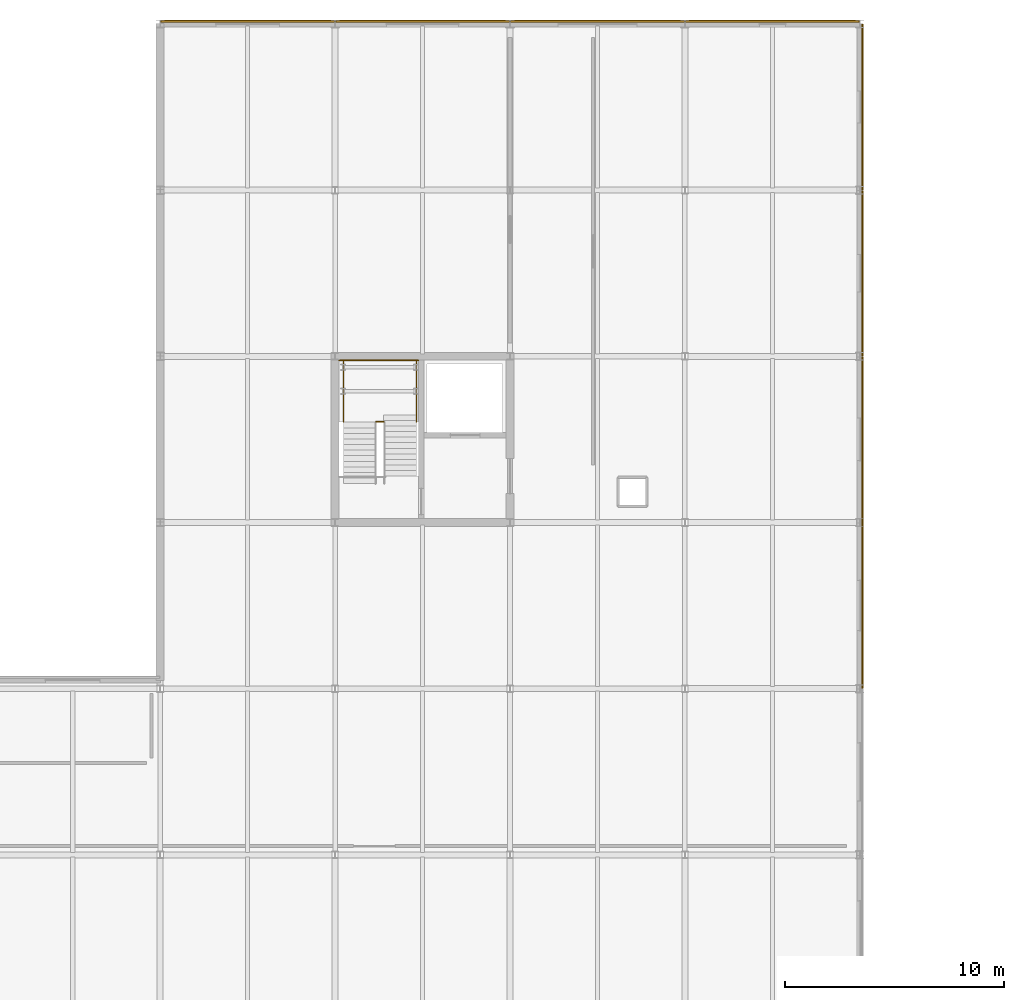
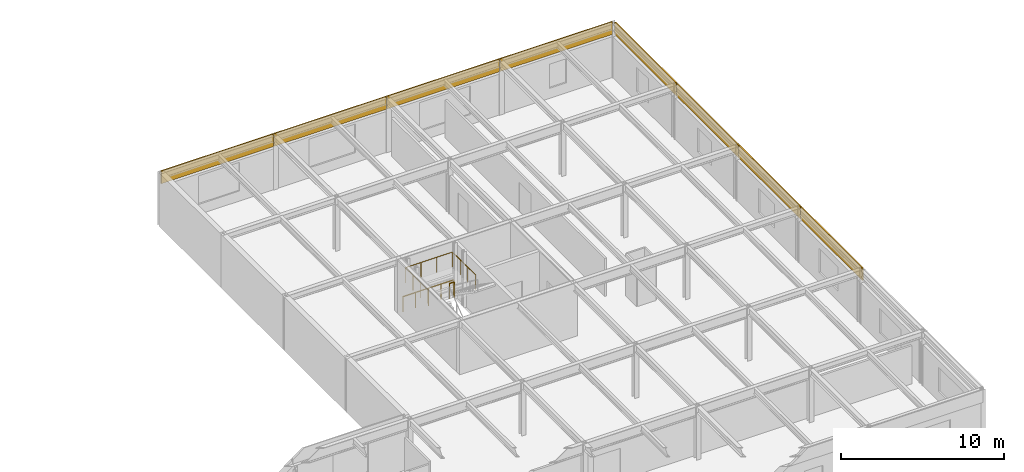
# One storey, part 44 of 45: 8 coverings, 3 railings.
"""IFC4 building model written with IfcOpenShell, lengths in metres."""

import ifcopenshell
import ifcopenshell.guid

model = None  # the IFC model being written
_history = None  # IfcOwnerHistory: only IFC2X3 demands one
_inside = {}  # id of a spatial element -> (the spatial element, [elements in it])
_under = {}  # id of a project, library or spatial element -> (it, [spatial elements below it])
_declared = {}  # id of a project -> (the project, [libraries it declares])
_typed = {}  # id of a type object -> (the type object, [elements of that type])
_made_of = {}  # id of a material, layer set ... -> (it, [elements and type objects made of it])


def new_model(schema):
    """Start an empty IFC model of exactly this schema.

    Asked for "IFC4X3", IfcOpenShell would pick the latest addendum, in which some entities
    have other attributes; the version numbers below select the first issue.
    IFC2X3 requires an IfcOwnerHistory on every rooted entity: one is made here for all.
    """
    global model, _history
    if schema == "IFC4X3":
        model = ifcopenshell.file(schema_version=(4, 3, 0, 0))
    else:
        model = ifcopenshell.file(schema=schema)
    _inside.clear()
    _under.clear()
    _declared.clear()
    _typed.clear()
    _made_of.clear()
    _history = None
    if model.schema == "IFC2X3":
        org = make("IfcOrganization", Name="unknown")
        user = make(
            "IfcPersonAndOrganization",
            ThePerson=make("IfcPerson", FamilyName="unknown"),
            TheOrganization=org,
        )
        app = make(
            "IfcApplication",
            ApplicationDeveloper=org,
            Version="unknown",
            ApplicationFullName="unknown",
            ApplicationIdentifier="unknown",
        )
        _history = make(
            "IfcOwnerHistory",
            OwningUser=user,
            OwningApplication=app,
            ChangeAction="ADDED",
            CreationDate=0,
        )
    return model


def make(cls, **values):
    """One entity of the class cls with the attributes given. An attribute that is None is left unset."""
    return model.create_entity(
        cls, **{name: value for name, value in values.items() if value is not None}
    )


def rooted(cls, **values):
    """An entity with a GlobalId (a new one), such as an element, a storey or a relation."""
    return make(cls, GlobalId=ifcopenshell.guid.new(), OwnerHistory=_history, **values)


def si_unit(unit_type, name, prefix=None):
    """IfcSIUnit, for example si_unit("LENGTHUNIT", "METRE", prefix="MILLI")."""
    return make("IfcSIUnit", UnitType=unit_type, Prefix=prefix, Name=name)


def assignment(units):
    """IfcUnitAssignment: the units of a project."""
    return None if units is None else make("IfcUnitAssignment", Units=units)


def point(xyz):
    """IfcCartesianPoint."""
    return None if xyz is None else make("IfcCartesianPoint", Coordinates=xyz)


def direction(xyz):
    """IfcDirection."""
    return None if xyz is None else make("IfcDirection", DirectionRatios=xyz)


def frame(location, z_axis=None, x_axis=None):
    """IfcAxis2Placement3D, a coordinate frame: its origin and axes. An axis left out is left unset."""
    return make(
        "IfcAxis2Placement3D",
        Location=point(location),
        Axis=direction(z_axis),
        RefDirection=direction(x_axis),
    )


def frame_2d(location, x_axis=None):
    """IfcAxis2Placement2D, a coordinate frame in the plane: its origin and x axis."""
    return make(
        "IfcAxis2Placement2D", Location=point(location), RefDirection=direction(x_axis)
    )


def origin():
    """The frame at (0, 0, 0) with its axes left unset."""
    return frame((0.0, 0.0, 0.0))


def origin_2d():
    """The frame at (0, 0) in the plane with its x axis left unset."""
    return frame_2d((0.0, 0.0))


def place(relative_to, where):
    """IfcLocalPlacement: puts the frame where relative to a parent placement (None: the world)."""
    return make(
        "IfcLocalPlacement", PlacementRelTo=relative_to, RelativePlacement=where
    )


def context(
    kind, dimensions, precision=None, world=None, true_north=None, identifier=None
):
    """IfcGeometricRepresentationContext, for example the 3D "Model" context."""
    return make(
        "IfcGeometricRepresentationContext",
        ContextIdentifier=identifier,
        ContextType=kind,
        CoordinateSpaceDimension=dimensions,
        Precision=precision,
        WorldCoordinateSystem=world,
        TrueNorth=true_north,
    )


def subcontext(parent, identifier, kind, view, scale=None):
    """IfcGeometricRepresentationSubContext, for example "Body" below "Model"."""
    return make(
        "IfcGeometricRepresentationSubContext",
        ContextIdentifier=identifier,
        ContextType=kind,
        ParentContext=parent,
        TargetScale=scale,
        TargetView=view,
    )


def project(units=None, contexts=None):
    """IfcProject with its units and contexts."""
    return rooted(
        "IfcProject",
        Name="project",
        RepresentationContexts=contexts,
        UnitsInContext=assignment(units),
    )


def spatial(cls, under=None, at=None, **own):
    """A site, building, storey or space (cls), placed at a placement, below another one or the project."""
    s = rooted(cls, ObjectPlacement=at, **own)
    if under is not None:
        _under.setdefault(under.id(), (under, []))[1].append(s)
    return s


def profile(cls, at=None, kind="AREA", **sizes):
    """A parametric profile (cls). Its sizes go by their IFC names, for example OverallWidth=200.0."""
    return make(cls, ProfileType=kind, Position=at, **sizes)


def rectangle(**sizes):
    """IfcRectangleProfileDef."""
    return profile("IfcRectangleProfileDef", **sizes)


def circle(**sizes):
    """IfcCircleProfileDef."""
    return profile("IfcCircleProfileDef", **sizes)


def extrude(swept, where, along, depth):
    """IfcExtrudedAreaSolid: the profile swept, set in the frame where, extruded along a direction by depth."""
    return make(
        "IfcExtrudedAreaSolid",
        SweptArea=swept,
        Position=where,
        ExtrudedDirection=direction(along),
        Depth=depth,
    )


def shape(context_of_items, identifier, shape_type, items):
    """IfcShapeRepresentation: the items that make up one representation, for example the "Body"."""
    return make(
        "IfcShapeRepresentation",
        ContextOfItems=context_of_items,
        RepresentationIdentifier=identifier,
        RepresentationType=shape_type,
        Items=items,
    )


def material(Name=None, Category=None):
    """IfcMaterial."""
    return make("IfcMaterial", Name=Name, Category=Category)


def layer(
    of_material, thickness, ventilated=None, Name=None, Category=None, Priority=None
):
    """IfcMaterialLayer: one layer of a wall or slab, of a material (None: an air gap)."""
    return make(
        "IfcMaterialLayer",
        Material=of_material,
        LayerThickness=thickness,
        IsVentilated=ventilated,
        Name=Name,
        Category=Category,
        Priority=Priority,
    )


def layer_set(layers, Name=None):
    """IfcMaterialLayerSet."""
    return make("IfcMaterialLayerSet", MaterialLayers=layers, LayerSetName=Name)


def made_of(thing, what):
    """Note that an element or type object is made of a material, layer set ...; save() writes the relation."""
    if what is not None:
        _made_of.setdefault(what.id(), (what, []))[1].append(thing)
    return thing


def type_object(cls, material=None, **own):
    """A type object (cls), such as IfcWallType, which elements share."""
    return made_of(rooted(cls, **own), material)


def element(
    cls,
    number,
    at=None,
    inside=None,
    cuts=None,
    type_object=None,
    material=None,
    context=None,
    identifier="Body",
    shape_type=None,
    held_by="IfcProductDefinitionShape",
    body=None,
    shapes=None,
    **own,
):
    """One element of the class cls, such as IfcWall. Its Tag is "e" and its number.

    at: its placement. inside: the storey or other place that contains it. cuts: it is an
    opening in that element (IfcRelVoidsElement). A single representation is given by context,
    identifier, shape_type and body (its items); several are given by shapes. held_by: the class
    of the entity that holds the representations. save() writes the other relations.
    """
    e = rooted(cls, Tag="e%d" % number, ObjectPlacement=at, **own)
    if body is not None:
        shapes = [shape(context, identifier, shape_type, body)]
    if shapes is not None:
        e.Representation = make(held_by, Representations=shapes)
    if inside is not None:
        _inside.setdefault(inside.id(), (inside, []))[1].append(e)
    if cuts is not None:
        rooted(
            "IfcRelVoidsElement", RelatingBuildingElement=cuts, RelatedOpeningElement=e
        )
    if type_object is not None:
        _typed.setdefault(type_object.id(), (type_object, []))[1].append(e)
    return made_of(e, material)


def aggregate(whole, parts):
    """IfcRelAggregates: a whole, such as a stair, and the parts it consists of."""
    return rooted("IfcRelAggregates", RelatingObject=whole, RelatedObjects=parts)


def save(model, path):
    """Write the relations noted so far, then the file.

    IfcRelAggregates (storeys below a building ...), IfcRelContainedInSpatialStructure (elements
    in a storey), IfcRelDefinesByType, IfcRelAssociatesMaterial and IfcRelDeclares: one each for
    every whole, place, type object, material and project.
    """
    for whole, parts in _under.values():
        aggregate(whole, parts)
    for where, things in _inside.values():
        rooted(
            "IfcRelContainedInSpatialStructure",
            RelatedElements=things,
            RelatingStructure=where,
        )
    for kind, things in _typed.values():
        rooted("IfcRelDefinesByType", RelatedObjects=things, RelatingType=kind)
    for what, things in _made_of.values():
        rooted("IfcRelAssociatesMaterial", RelatedObjects=things, RelatingMaterial=what)
    for by, libraries in _declared.values():
        rooted("IfcRelDeclares", RelatingContext=by, RelatedDefinitions=libraries)
    model.write(path)


model = new_model("IFC4")

# Units and contexts
model_context = context("Model", 3, precision=1e-05, world=origin(), true_north=direction((0.0, 1.0)))
body_context = subcontext(model_context, "Body", "Model", "MODEL_VIEW")
ifc_project = project(units=[si_unit("LENGTHUNIT", "METRE"), si_unit("AREAUNIT", "SQUARE_METRE"), si_unit("VOLUMEUNIT", "CUBIC_METRE"), si_unit("PLANEANGLEUNIT", "RADIAN"), si_unit("MASSUNIT", "GRAM", prefix="KILO")], contexts=[model_context])

# Site, building, storey
site_placement = place(None, origin())
site = spatial("IfcSite", under=ifc_project, at=site_placement, CompositionType="ELEMENT")
building_placement = place(site_placement, origin())
building = spatial("IfcBuilding", under=site, at=building_placement, Name="Zulena Civic Courthouse", CompositionType="ELEMENT")
storey_placement = place(building_placement, frame((0.0, 0.0, 29.39990234375)))
storey = spatial("IfcBuildingStorey", under=building, at=storey_placement, Name="L06", CompositionType="ELEMENT", Elevation=29.39990234375)

# Railings
ifc_material_1 = material(Name="Brushed architectural steel ASTM A36", Category="steel")
railing_type = type_object("IfcRailingType", Name="InteriorGuardrail_1150", PredefinedType="GUARDRAIL", material=ifc_material_1)
railing_1_placement = place(storey_placement, frame((76.199951171875, 75.81005859375, 0.0)))
element("IfcRailing", 1, at=railing_1_placement, inside=storey, type_object=railing_type, Name="gr:wellN:K5B:L05", PredefinedType="GUARDRAIL", context=body_context, shape_type="SweptSolid", body=[
    extrude(circle(Radius=0.02392578125, at=origin_2d()), frame((0.00390625, 0.0, 1.1259765625), z_axis=(1.0, 0.0, 0.0), x_axis=(0.0, 1.0, 0.0)), (0.0, 0.0, 1.0), 3.592041015625),
    extrude(circle(Radius=0.02099609375, at=origin_2d()), origin(), (0.0, 0.0, 1.0), 1.097900390625),
    extrude(circle(Radius=0.02099609375, at=origin_2d()), frame((0.89990234375, 0.0, 0.0)), (0.0, 0.0, 1.0), 1.097900390625),
    extrude(circle(Radius=0.02099609375, at=origin_2d()), frame((1.800048828125, 0.0, 0.0)), (0.0, 0.0, 1.0), 1.097900390625),
    extrude(circle(Radius=0.02099609375, at=origin_2d()), frame((2.7001953125, 0.0, 0.0)), (0.0, 0.0, 1.0), 1.097900390625),
    extrude(circle(Radius=0.02099609375, at=origin_2d()), frame((3.60009765625, 0.0, 0.0)), (0.0, 0.0, 1.0), 1.097900390625),
])
railing_2_placement = place(storey_placement, frame((76.3798828125, 72.984619140625, 2.10009765625)))
element("IfcRailing", 2, at=railing_2_placement, inside=storey, type_object=railing_type, Name="gr:lnd:K5B:L06", PredefinedType="GUARDRAIL", context=body_context, shape_type="SweptSolid", body=[
    extrude(circle(Radius=0.02392578125, at=origin_2d()), frame((0.0, 0.00390625, 1.1259765625), z_axis=(0.0, 1.0, 0.0), x_axis=(-1.0, 0.0, 0.0)), (0.0, 0.0, 1.0), 2.827392578125),
    extrude(circle(Radius=0.02392578125, at=origin_2d()), frame((0.00390625, 2.83544921875, 1.1259765625), z_axis=(1.0, 0.0, 0.0), x_axis=(0.0, 1.0, 0.0)), (0.0, 0.0, 1.0), 3.33203125),
    extrude(circle(Radius=0.02392578125, at=origin_2d()), frame((3.340087890625, 2.83154296875, 1.1259765625), z_axis=(0.0, -1.0, 0.0), x_axis=(1.0, 0.0, 0.0)), (0.0, 0.0, 1.0), 2.827392578125),
    extrude(circle(Radius=0.02099609375, at=origin_2d()), origin(), (0.0, 0.0, 1.0), 1.097900390625),
    extrude(circle(Radius=0.02099609375, at=origin_2d()), frame((0.0, 0.945068359375, 0.0)), (0.0, 0.0, 1.0), 1.097900390625),
    extrude(circle(Radius=0.02099609375, at=origin_2d()), frame((0.0, 1.890380859375, 0.0)), (0.0, 0.0, 1.0), 1.097900390625),
    extrude(circle(Radius=0.02099609375, at=origin_2d()), frame((0.0, 2.83544921875, 0.0)), (0.0, 0.0, 1.0), 1.097900390625),
    extrude(circle(Radius=0.02099609375, at=origin_2d()), frame((1.11328125, 2.83544921875, 0.0)), (0.0, 0.0, 1.0), 1.097900390625),
    extrude(circle(Radius=0.02099609375, at=origin_2d()), frame((2.226806640625, 2.83544921875, 0.0)), (0.0, 0.0, 1.0), 1.097900390625),
    extrude(circle(Radius=0.02099609375, at=origin_2d()), frame((3.340087890625, 2.83544921875, 0.0)), (0.0, 0.0, 1.0), 1.097900390625),
    extrude(circle(Radius=0.02099609375, at=origin_2d()), frame((3.340087890625, 1.890380859375, 0.0)), (0.0, 0.0, 1.0), 1.097900390625),
    extrude(circle(Radius=0.02099609375, at=origin_2d()), frame((3.340087890625, 0.945068359375, 0.0)), (0.0, 0.0, 1.0), 1.097900390625),
    extrude(circle(Radius=0.02099609375, at=origin_2d()), frame((3.340087890625, 0.0, 0.0)), (0.0, 0.0, 1.0), 1.097900390625),
])
railing_3_placement = place(storey_placement, frame((77.8798828125, 73.0048828125, 2.10009765625)))
element("IfcRailing", 3, at=railing_3_placement, inside=storey, type_object=railing_type, Name="gr:lndslot:K5B:L06", PredefinedType="GUARDRAIL", context=body_context, shape_type="SweptSolid", body=[
    extrude(circle(Radius=0.02392578125, at=origin_2d()), frame((0.00390625, 0.0, 1.1259765625), z_axis=(1.0, 0.0, 0.0), x_axis=(0.0, 1.0, 0.0)), (0.0, 0.0, 1.0), 0.33203125),
    extrude(circle(Radius=0.02099609375, at=origin_2d()), origin(), (0.0, 0.0, 1.0), 1.097900390625),
    extrude(circle(Radius=0.02099609375, at=origin_2d()), frame((0.340087890625, 0.0, 0.0)), (0.0, 0.0, 1.0), 1.097900390625),
])

# Coverings
ifc_material_2 = material(Name="White architectural precast concrete C40/50", Category="concrete")
ifc_layer = layer(ifc_material_2, 0.0849609375)
ifc_layer_set = layer_set([ifc_layer], Name="White architectural precast concrete C40/50")
covering_type = type_object("IfcCoveringType", Name="PrecastSpandrelCladding_85", PredefinedType="CLADDING", material=ifc_layer_set)
for number, where, z_axis, x_axis, name in (
    (4, (72.0, 91.320068359375, 3.06005859375), (0.0, 0.0, 1.0), (1.0, 0.0, 0.0), "clad:sp:V5:L06:3:0"),
    (5, (80.0, 91.320068359375, 3.06005859375), (0.0, 0.0, 1.0), (1.0, 0.0, 0.0), "clad:sp:V5:L06:3:1"),
    (6, (88.0, 91.320068359375, 3.06005859375), (0.0, 0.0, 1.0), (1.0, 0.0, 0.0), "clad:sp:V5:L06:3:2"),
    (7, (96.0, 91.320068359375, 3.06005859375), (0.0, 0.0, 1.0), (1.0, 0.0, 0.0), "clad:sp:V5:L06:3:3"),
):
    element("IfcCovering", number, at=place(storey_placement, frame(where, z_axis=z_axis, x_axis=x_axis)), inside=storey, type_object=covering_type, Name=name, PredefinedType="CLADDING", context=body_context, shape_type="SweptSolid", body=[
        extrude(rectangle(XDim=7.9599609375, YDim=0.0849609375, at=origin_2d()), origin(), (0.0, 0.0, 1.0), 0.93994140625),
    ])
for number, where, z_axis, x_axis, name in (
    (8, (100.1201171875, 87.39990234375, 3.06005859375), (0.0, 0.0, 1.0), (0.0, -1.0, 0.0), "clad:sp:V5:L06:4:0"),
    (9, (100.1201171875, 79.800048828125, 3.06005859375), (0.0, 0.0, 1.0), (0.0, -1.0, 0.0), "clad:sp:V5:L06:4:1"),
    (10, (100.1201171875, 72.199951171875, 3.06005859375), (0.0, 0.0, 1.0), (0.0, -1.0, 0.0), "clad:sp:V5:L06:4:2"),
    (11, (100.1201171875, 64.60009765625, 3.06005859375), (0.0, 0.0, 1.0), (0.0, -1.0, 0.0), "clad:sp:V5:L06:4:3"),
):
    element("IfcCovering", number, at=place(storey_placement, frame(where, z_axis=z_axis, x_axis=x_axis)), inside=storey, type_object=covering_type, Name=name, PredefinedType="CLADDING", context=body_context, shape_type="SweptSolid", body=[
        extrude(rectangle(XDim=7.56005859375, YDim=0.0849609375, at=origin_2d()), origin(), (0.0, 0.0, 1.0), 0.93994140625),
    ])

save(model, "model.ifc")
